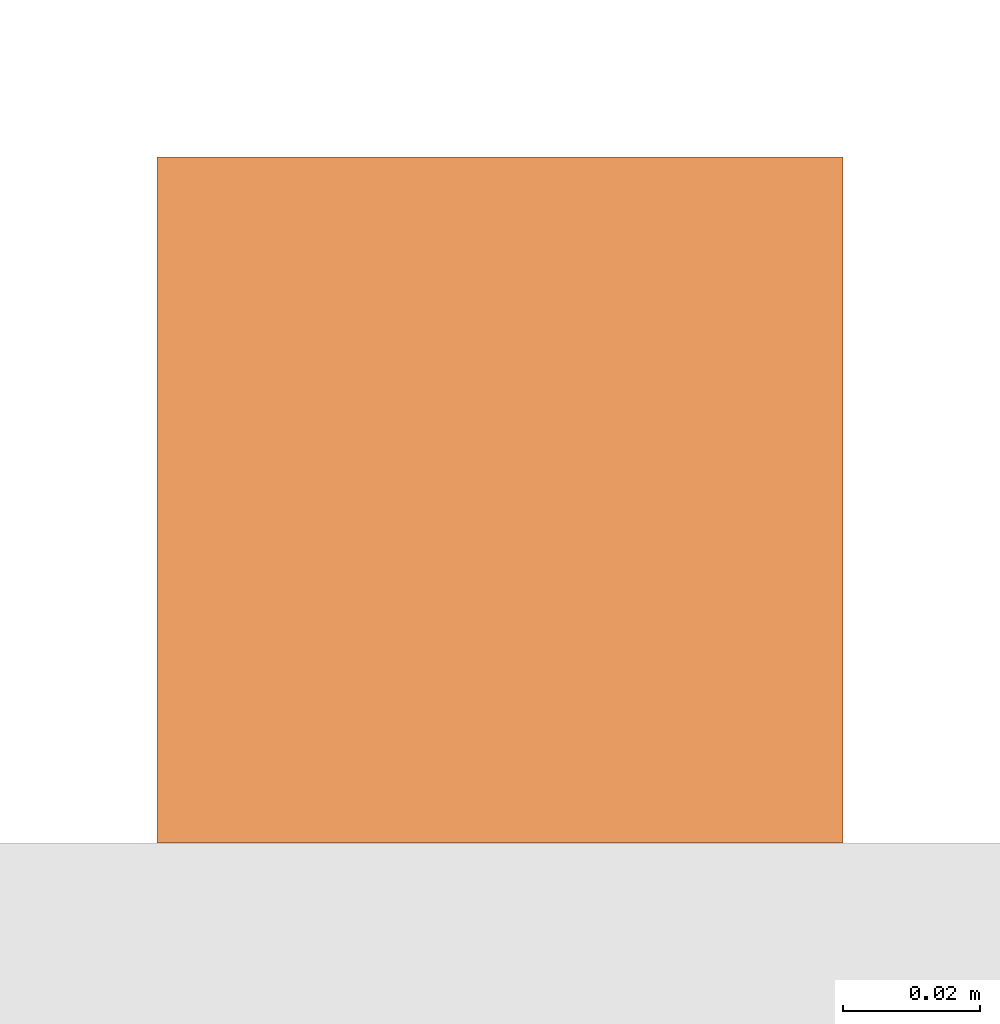
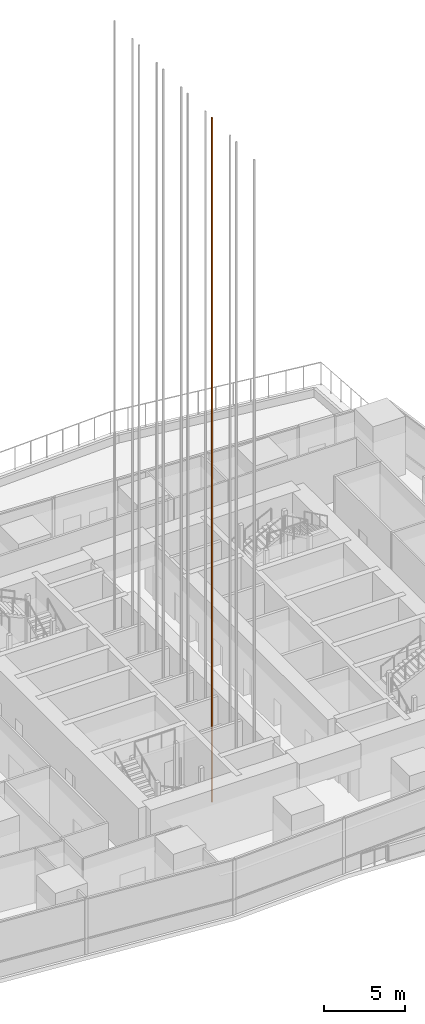
# One storey, part 31 of 39: 1 proxy.
"""IFC4 building model written with IfcOpenShell, lengths in metres."""

from ifc_helpers import new_model, si_unit, direction, frame, origin, origin_2d, place, context, subcontext, project, spatial, rectangle, extrude, material, type_object, element, save


model = new_model("IFC4")

# Units and contexts
model_context = context("Model", 3, precision=1e-05, world=origin(), true_north=direction((0.0, 1.0)))
body_context = subcontext(model_context, "Body", "Model", "MODEL_VIEW")
ifc_project = project(units=[si_unit("LENGTHUNIT", "METRE"), si_unit("AREAUNIT", "SQUARE_METRE"), si_unit("VOLUMEUNIT", "CUBIC_METRE"), si_unit("PLANEANGLEUNIT", "RADIAN"), si_unit("MASSUNIT", "GRAM", prefix="KILO")], contexts=[model_context])

# Site, building, storey
site_placement = place(None, origin())
site = spatial("IfcSite", under=ifc_project, at=site_placement, CompositionType="ELEMENT")
building_placement = place(site_placement, origin())
building = spatial("IfcBuilding", under=site, at=building_placement, Name="Rekha Terrace Tower", CompositionType="ELEMENT")
storey_placement = place(building_placement, frame((0.0, 0.0, 245.60009765625)))
storey = spatial("IfcBuildingStorey", under=building, at=storey_placement, Name="L62", CompositionType="ELEMENT", Elevation=245.60009765625)

# Proxy
ifc_material = material(Name="Steel guide rail", Category="steel")
building_element_proxy_type = type_object("IfcBuildingElementProxyType", Name="LR1 100 lift guide rail", PredefinedType="ELEMENT", material=ifc_material)
proxy_placement = place(storey_placement, frame((34.5, 29.0, -3.30029296875), z_axis=(0.0, 0.0, 1.0), x_axis=(1.0, 0.0, 0.0)))
element("IfcBuildingElementProxy", 1, at=proxy_placement, inside=storey, type_object=building_element_proxy_type, Name="Lift D2 guide rail 2", PredefinedType="ELEMENT", context=body_context, shape_type="SweptSolid", body=[
    extrude(rectangle(XDim=0.10009765625, YDim=0.10009765625, at=origin_2d()), origin(), (0.0, 0.0, 1.0), 51.449951171875),
])

save(model, "model.ifc")
